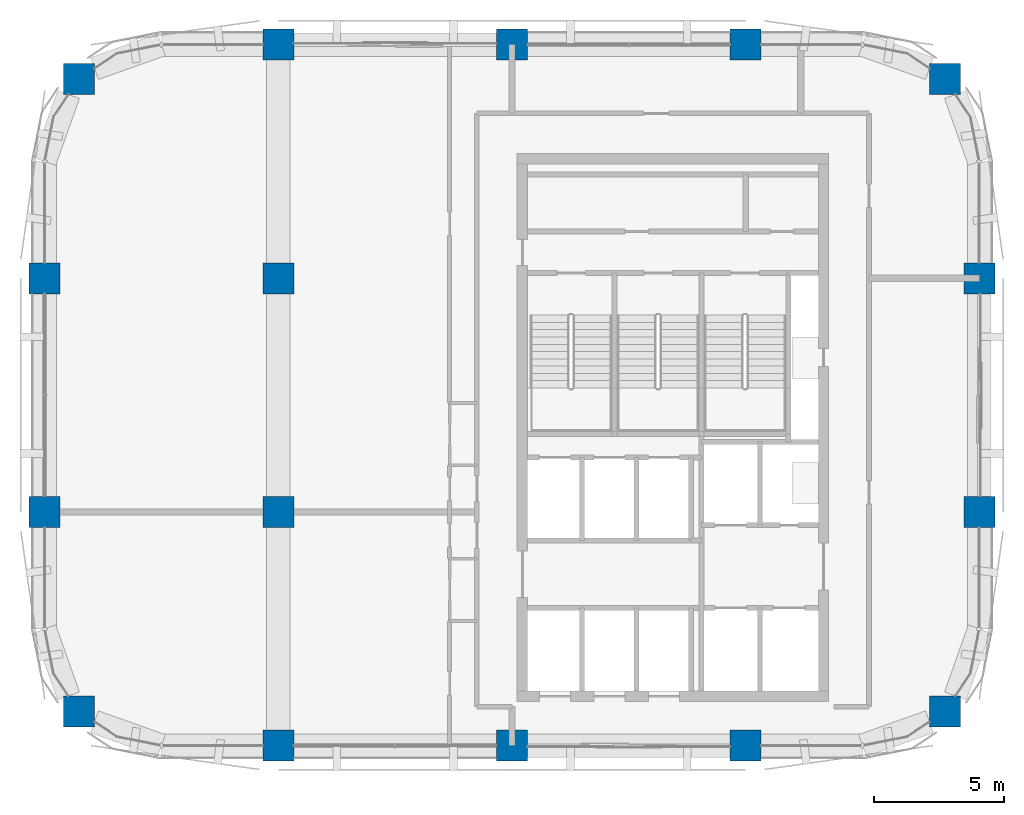
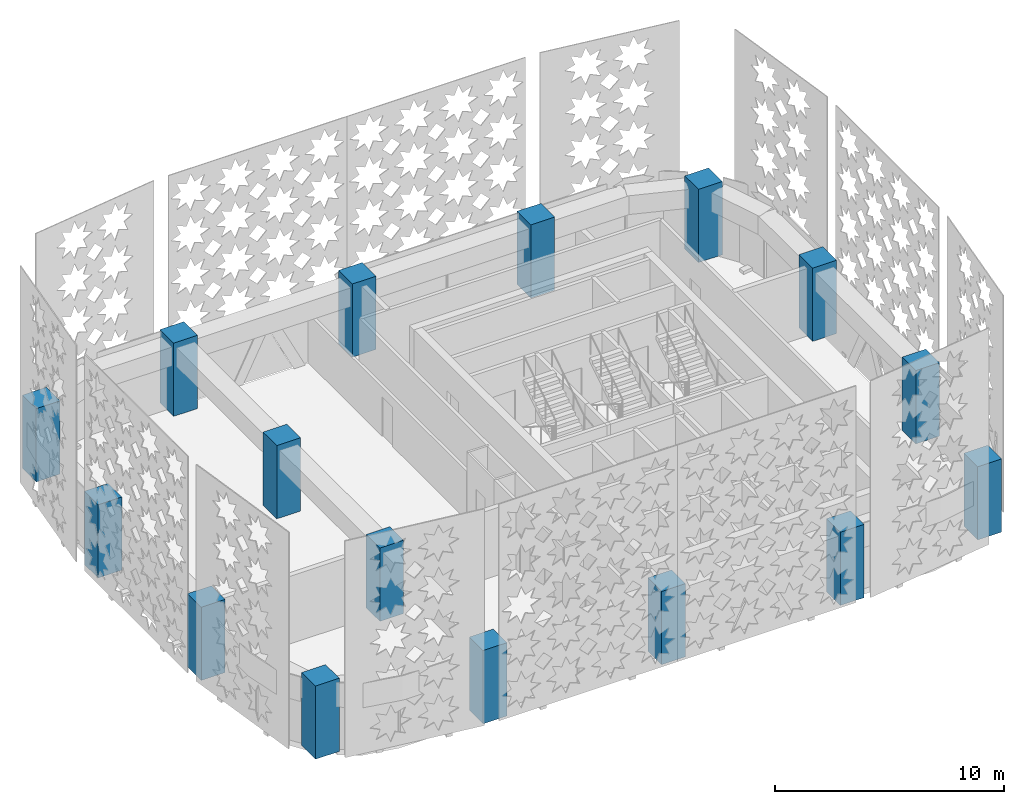
# One storey, part 1 of 14: 16 columns.
"""IFC4 building model written with IfcOpenShell, lengths in metres."""

from ifc_helpers import new_model, si_unit, direction, frame, origin, origin_2d, place, context, subcontext, project, spatial, rectangle, extrude, material, material_profile, profile_set, type_object, element, save


model = new_model("IFC4")

# Units and contexts
model_context = context("Model", 3, precision=1e-05, world=origin(), true_north=direction((0.0, 1.0)))
body_context = subcontext(model_context, "Body", "Model", "MODEL_VIEW")
ifc_project = project(units=[si_unit("LENGTHUNIT", "METRE"), si_unit("AREAUNIT", "SQUARE_METRE"), si_unit("VOLUMEUNIT", "CUBIC_METRE"), si_unit("PLANEANGLEUNIT", "RADIAN"), si_unit("MASSUNIT", "GRAM", prefix="KILO")], contexts=[model_context])

# Site, building, storey
site_placement = place(None, origin())
site = spatial("IfcSite", under=ifc_project, at=site_placement, CompositionType="ELEMENT")
building_placement = place(site_placement, origin())
building = spatial("IfcBuilding", under=site, at=building_placement, Name="Tessera Arch", CompositionType="ELEMENT")
storey_placement = place(building_placement, frame((0.0, 0.0, 269.60009765625)))
storey = spatial("IfcBuildingStorey", under=building, at=storey_placement, Name="L65", CompositionType="ELEMENT", Elevation=269.60009765625)

# Columns
ifc_material = material(Name="Concrete C60/75", Category="concrete")
ifc_material_profile = material_profile(ifc_material, rectangle(XDim=1.199951171875, YDim=1.199951171875, at=origin_2d()), Name="RC column 1200 x 1200 Concrete C60/75")
ifc_profile_set = profile_set([ifc_material_profile], Name="Concrete C60/75")
column_type = type_object("IfcColumnType", Name="RC column 1200 x 1200 Concrete C60/75", PredefinedType="COLUMN", material=ifc_profile_set)
for number, where, z_axis, x_axis, name in (
    (1, (19.318115234375, 28.318115234375, 0.0), (0.0, 0.0, 1.0), (1.0, 0.0, 0.0), "Column C3D L65"),
    (2, (18.0, 36.0, 0.0), (0.0, 0.0, 1.0), (1.0, 0.0, 0.0), "Column C3E L65"),
    (3, (18.0, 45.0, 0.0), (0.0, 0.0, 1.0), (1.0, 0.0, 0.0), "Column C3F L65"),
    (4, (19.318115234375, 52.681884765625, 0.0), (0.0, 0.0, 1.0), (1.0, 0.0, 0.0), "Column C3G L65"),
    (5, (27.0, 27.0, 0.0), (0.0, 0.0, 1.0), (1.0, 0.0, 0.0), "Column C4D L65"),
    (6, (27.0, 36.0, 0.0), (0.0, 0.0, 1.0), (1.0, 0.0, 0.0), "Column C4E L65"),
    (7, (27.0, 45.0, 0.0), (0.0, 0.0, 1.0), (1.0, 0.0, 0.0), "Column C4F L65"),
    (8, (27.0, 54.0, 0.0), (0.0, 0.0, 1.0), (1.0, 0.0, 0.0), "Column C4G L65"),
    (9, (36.0, 27.0, 0.0), (0.0, 0.0, 1.0), (1.0, 0.0, 0.0), "Column C5D L65"),
    (10, (36.0, 54.0, 0.0), (0.0, 0.0, 1.0), (1.0, 0.0, 0.0), "Column C5G L65"),
    (11, (45.0, 27.0, 0.0), (0.0, 0.0, 1.0), (1.0, 0.0, 0.0), "Column C6D L65"),
    (12, (45.0, 54.0, 0.0), (0.0, 0.0, 1.0), (1.0, 0.0, 0.0), "Column C6G L65"),
    (13, (52.681884765625, 28.318115234375, 0.0), (0.0, 0.0, 1.0), (1.0, 0.0, 0.0), "Column C7D L65"),
    (14, (54.0, 36.0, 0.0), (0.0, 0.0, 1.0), (1.0, 0.0, 0.0), "Column C7E L65"),
    (15, (54.0, 45.0, 0.0), (0.0, 0.0, 1.0), (1.0, 0.0, 0.0), "Column C7F L65"),
    (16, (52.681884765625, 52.681884765625, 0.0), (0.0, 0.0, 1.0), (1.0, 0.0, 0.0), "Column C7G L65"),
):
    element("IfcColumn", number, at=place(storey_placement, frame(where, z_axis=z_axis, x_axis=x_axis)), inside=storey, type_object=column_type, Name=name, PredefinedType="COLUMN", context=body_context, shape_type="SweptSolid", body=[
        extrude(rectangle(XDim=1.199951171875, YDim=1.199951171875, at=origin_2d()), origin(), (0.0, 0.0, 1.0), 3.89990234375),
    ])

save(model, "model.ifc")
